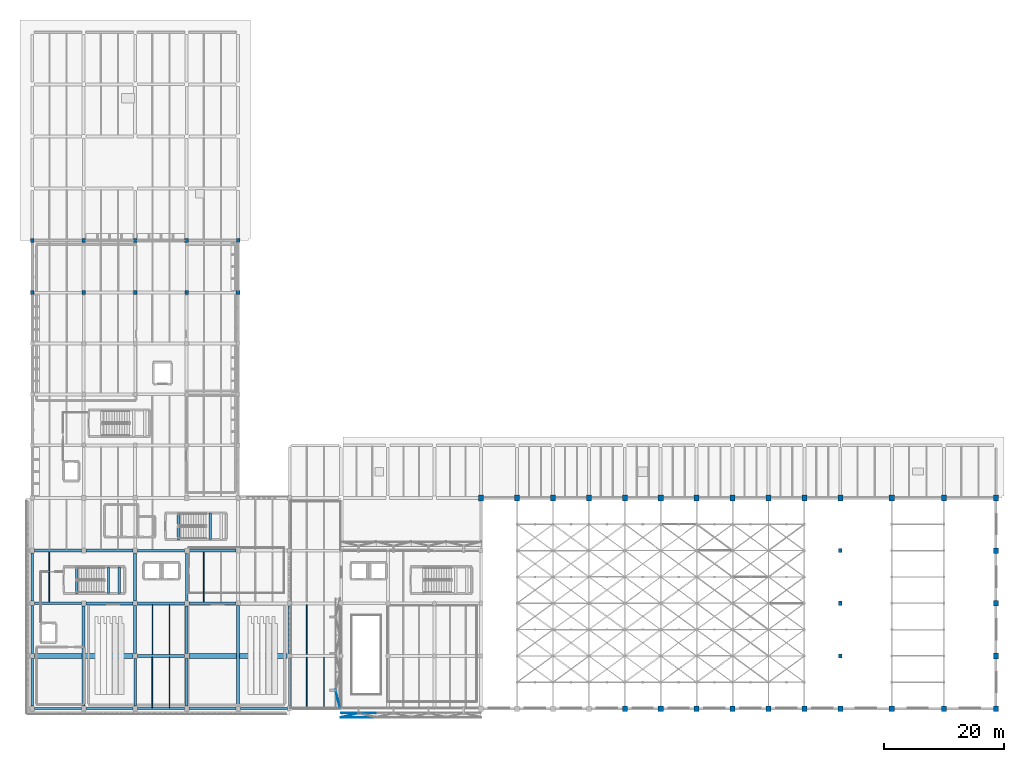
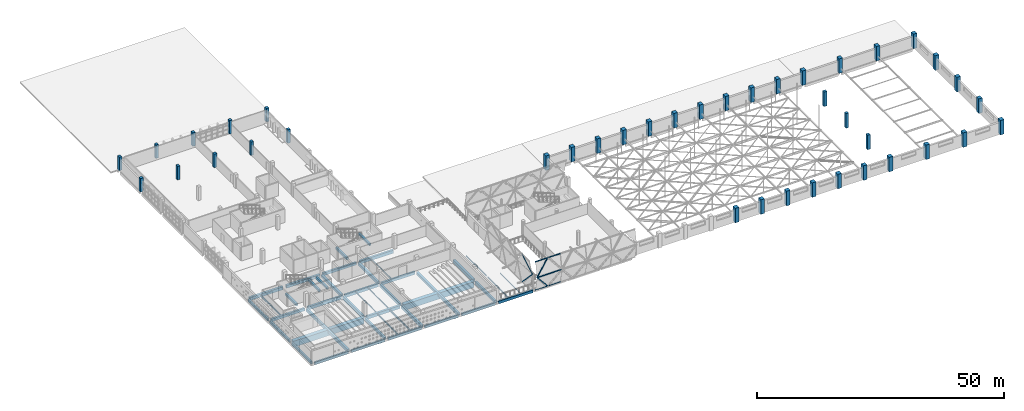
# One storey, part 7 of 93: 44 beams, 40 columns, 7 members, 2 elements without a shape of their own.
"""IFC4 building model written with IfcOpenShell, lengths in metres."""

from ifc_helpers import new_model, si_unit, direction, frame, origin, origin_2d, place, context, subcontext, project, spatial, rectangle, hollow_rectangle, i_section, extrude, material, material_profile, profile_set, type_object, element, aggregate, save


model = new_model("IFC4")

# Units and contexts
model_context = context("Model", 3, precision=1e-05, world=origin(), true_north=direction((0.0, 1.0)))
body_context = subcontext(model_context, "Body", "Model", "MODEL_VIEW")
ifc_project = project(units=[si_unit("LENGTHUNIT", "METRE"), si_unit("AREAUNIT", "SQUARE_METRE"), si_unit("VOLUMEUNIT", "CUBIC_METRE"), si_unit("PLANEANGLEUNIT", "RADIAN"), si_unit("MASSUNIT", "GRAM", prefix="KILO")], contexts=[model_context])

# Site, building, storey
site_placement = place(None, origin())
site = spatial("IfcSite", under=ifc_project, at=site_placement, CompositionType="ELEMENT")
building_placement = place(site_placement, origin())
building = spatial("IfcBuilding", under=site, at=building_placement, Name="Varnakota Cinema and Media Centre", CompositionType="ELEMENT")
storey_placement = place(building_placement, frame((0.0, 0.0, 12.0)))
storey = spatial("IfcBuildingStorey", under=building, at=storey_placement, Name="L03", CompositionType="ELEMENT", Elevation=12.0)

# Columns
ifc_material_1 = material(Name="Concrete M40", Category="concrete")
ifc_material_profile_1 = material_profile(ifc_material_1, rectangle(XDim=0.60009765625, YDim=0.699951171875, at=origin_2d()), Name="RC 600x700")
ifc_profile_set_1 = profile_set([ifc_material_profile_1], Name="Concrete M40")
column_type_1 = type_object("IfcColumnType", Name="COL-RC-600x700", PredefinedType="COLUMN", material=ifc_profile_set_1)
for number, where, z_axis, x_axis, name in (
    (1, (0.0, 78.199951171875, 0.0), (0.0, 0.0, 1.0), (1.0, 0.0, 0.0), "L03 column A/10"),
    (2, (8.60009765625, 69.5, 0.0), (0.0, 0.0, 1.0), (1.0, 0.0, 0.0), "L03 column B/9"),
    (3, (17.199951171875, 78.199951171875, 0.0), (0.0, 0.0, 1.0), (1.0, 0.0, 0.0), "L03 column C/10"),
    (4, (25.800048828125, 69.5, 0.0), (0.0, 0.0, 1.0), (1.0, 0.0, 0.0), "L03 column D/9"),
    (5, (34.39990234375, 78.199951171875, 0.0), (0.0, 0.0, 1.0), (1.0, 0.0, 0.0), "L03 column E/10"),
):
    element("IfcColumn", number, at=place(storey_placement, frame(where, z_axis=z_axis, x_axis=x_axis)), inside=storey, type_object=column_type_1, Name=name, PredefinedType="COLUMN", context=body_context, shape_type="SweptSolid", body=[
        extrude(rectangle(XDim=0.60009765625, YDim=0.699951171875, at=origin_2d()), origin(), (0.0, 0.0, 1.0), 3.35009765625),
    ])
column_placement = place(storey_placement, frame((135.0, 17.60009765625, 0.0), z_axis=(0.0, 0.0, 1.0), x_axis=(1.0, 0.0, 0.0)))
element("IfcColumn", 6, at=column_placement, inside=storey, type_object=column_type_1, Name="L03 column V/3", PredefinedType="COLUMN", context=body_context, shape_type="SweptSolid", body=[
    extrude(rectangle(XDim=0.60009765625, YDim=0.699951171875, at=origin_2d()), origin(), (0.0, 0.0, 1.0), 3.60009765625),
])
ifc_material_2 = material(Name="Concrete M40", Category="concrete")
ifc_material_profile_2 = material_profile(ifc_material_2, rectangle(XDim=0.64990234375, YDim=0.64990234375, at=origin_2d()), Name="RC 650x650")
ifc_profile_set_2 = profile_set([ifc_material_profile_2], Name="Concrete M40")
column_type_2 = type_object("IfcColumnType", Name="COL-RC-650x650", PredefinedType="COLUMN", material=ifc_profile_set_2)
for number, where, z_axis, x_axis, name in (
    (7, (0.0, 69.5, 0.0), (0.0, 0.0, 1.0), (1.0, 0.0, 0.0), "L03 column A/9"),
    (8, (8.60009765625, 78.199951171875, 0.0), (0.0, 0.0, 1.0), (1.0, 0.0, 0.0), "L03 column B/10"),
    (9, (17.199951171875, 69.5, 0.0), (0.0, 0.0, 1.0), (1.0, 0.0, 0.0), "L03 column C/9"),
    (10, (25.800048828125, 78.199951171875, 0.0), (0.0, 0.0, 1.0), (1.0, 0.0, 0.0), "L03 column D/10"),
    (11, (34.39990234375, 69.5, 0.0), (0.0, 0.0, 1.0), (1.0, 0.0, 0.0), "L03 column E/9"),
):
    element("IfcColumn", number, at=place(storey_placement, frame(where, z_axis=z_axis, x_axis=x_axis)), inside=storey, type_object=column_type_2, Name=name, PredefinedType="COLUMN", context=body_context, shape_type="SweptSolid", body=[
        extrude(rectangle(XDim=0.64990234375, YDim=0.64990234375, at=origin_2d()), origin(), (0.0, 0.0, 1.0), 3.35009765625),
    ])
for number, where, z_axis, x_axis, name in (
    (12, (135.0, 8.800048828125, 0.0), (0.0, 0.0, 1.0), (1.0, 0.0, 0.0), "L03 column V/2"),
    (13, (135.0, 26.39990234375, 0.0), (0.0, 0.0, 1.0), (1.0, 0.0, 0.0), "L03 column V/4"),
):
    element("IfcColumn", number, at=place(storey_placement, frame(where, z_axis=z_axis, x_axis=x_axis)), inside=storey, type_object=column_type_2, Name=name, PredefinedType="COLUMN", context=body_context, shape_type="SweptSolid", body=[
        extrude(rectangle(XDim=0.64990234375, YDim=0.64990234375, at=origin_2d()), origin(), (0.0, 0.0, 1.0), 3.60009765625),
    ])
ifc_material_3 = material(Name="Concrete M50", Category="concrete")
ifc_material_profile_3 = material_profile(ifc_material_3, rectangle(XDim=0.85009765625, YDim=0.949951171875, at=origin_2d()), Name="RC 850x950")
ifc_profile_set_3 = profile_set([ifc_material_profile_3], Name="Concrete M50")
column_type_3 = type_object("IfcColumnType", Name="COL-RC-850x950", PredefinedType="COLUMN", material=ifc_profile_set_3)
for number, where, z_axis, x_axis, name in (
    (14, (75.0, 35.199951171875, 0.0), (0.0, 0.0, 1.0), (1.0, 0.0, 0.0), "L03 column K/5"),
    (15, (81.0, 35.199951171875, 0.0), (0.0, 0.0, 1.0), (1.0, 0.0, 0.0), "L03 column L/5"),
    (16, (87.0, 35.199951171875, 0.0), (0.0, 0.0, 1.0), (1.0, 0.0, 0.0), "L03 column M/5"),
    (17, (93.0, 35.199951171875, 0.0), (0.0, 0.0, 1.0), (1.0, 0.0, 0.0), "L03 column N/5"),
    (18, (99.0, 0.0, 0.0), (0.0, 0.0, 1.0), (1.0, 0.0, 0.0), "L03 column P/1"),
    (19, (99.0, 35.199951171875, 0.0), (0.0, 0.0, 1.0), (1.0, 0.0, 0.0), "L03 column P/5"),
    (20, (105.0, 0.0, 0.0), (0.0, 0.0, 1.0), (1.0, 0.0, 0.0), "L03 column Q/1"),
    (21, (105.0, 35.199951171875, 0.0), (0.0, 0.0, 1.0), (1.0, 0.0, 0.0), "L03 column Q/5"),
    (22, (111.0, 0.0, 0.0), (0.0, 0.0, 1.0), (1.0, 0.0, 0.0), "L03 column R/1"),
    (23, (111.0, 35.199951171875, 0.0), (0.0, 0.0, 1.0), (1.0, 0.0, 0.0), "L03 column R/5"),
    (24, (117.0, 0.0, 0.0), (0.0, 0.0, 1.0), (1.0, 0.0, 0.0), "L03 column S/1"),
    (25, (117.0, 35.199951171875, 0.0), (0.0, 0.0, 1.0), (1.0, 0.0, 0.0), "L03 column S/5"),
    (26, (123.0, 0.0, 0.0), (0.0, 0.0, 1.0), (1.0, 0.0, 0.0), "L03 column T/1"),
    (27, (123.0, 35.199951171875, 0.0), (0.0, 0.0, 1.0), (1.0, 0.0, 0.0), "L03 column T/5"),
    (28, (129.0, 0.0, 0.0), (0.0, 0.0, 1.0), (1.0, 0.0, 0.0), "L03 column U/1"),
    (29, (129.0, 35.199951171875, 0.0), (0.0, 0.0, 1.0), (1.0, 0.0, 0.0), "L03 column U/5"),
    (30, (135.0, 0.0, 0.0), (0.0, 0.0, 1.0), (1.0, 0.0, 0.0), "L03 column V/1"),
    (31, (135.0, 35.199951171875, 0.0), (0.0, 0.0, 1.0), (1.0, 0.0, 0.0), "L03 column V/5"),
    (32, (143.60009765625, 0.0, 0.0), (0.0, 0.0, 1.0), (1.0, 0.0, 0.0), "L03 column W/1"),
    (33, (143.60009765625, 35.199951171875, 0.0), (0.0, 0.0, 1.0), (1.0, 0.0, 0.0), "L03 column W/5"),
    (34, (152.300048828125, 0.0, 0.0), (0.0, 0.0, 1.0), (1.0, 0.0, 0.0), "L03 column X/1"),
    (35, (152.300048828125, 35.199951171875, 0.0), (0.0, 0.0, 1.0), (1.0, 0.0, 0.0), "L03 column X/5"),
    (36, (161.0, 0.0, 0.0), (0.0, 0.0, 1.0), (1.0, 0.0, 0.0), "L03 column Y/1"),
    (37, (161.0, 8.800048828125, 0.0), (0.0, 0.0, 1.0), (1.0, 0.0, 0.0), "L03 column Y/2"),
    (38, (161.0, 17.60009765625, 0.0), (0.0, 0.0, 1.0), (1.0, 0.0, 0.0), "L03 column Y/3"),
    (39, (161.0, 26.39990234375, 0.0), (0.0, 0.0, 1.0), (1.0, 0.0, 0.0), "L03 column Y/4"),
    (40, (161.0, 35.199951171875, 0.0), (0.0, 0.0, 1.0), (1.0, 0.0, 0.0), "L03 column Y/5"),
):
    element("IfcColumn", number, at=place(storey_placement, frame(where, z_axis=z_axis, x_axis=x_axis)), inside=storey, type_object=column_type_3, Name=name, PredefinedType="COLUMN", context=body_context, shape_type="SweptSolid", body=[
        extrude(rectangle(XDim=0.85009765625, YDim=0.949951171875, at=origin_2d()), origin(), (0.0, 0.0, 1.0), 3.60009765625),
    ])

# Beams
ifc_material_4 = material(Name="Concrete M35", Category="concrete")
ifc_material_profile_4 = material_profile(ifc_material_4, rectangle(XDim=0.39990234375, YDim=0.550048828125, at=origin_2d()), Name="RCB 400x550")
ifc_profile_set_4 = profile_set([ifc_material_profile_4], Name="Concrete M35")
beam_type_1 = type_object("IfcBeamType", Name="BM-RC-400x550", PredefinedType="BEAM", material=ifc_profile_set_4)
for number, where, z_axis, x_axis, name in (
    (41, (12.7373046875, 19.25, 1.324951171875), (0.0, 1.0, 0.0), (-1.0, 0.0, 0.0), "L03 ST-01 landing support beam 1"),
    (42, (14.562744140625, 19.25, 1.324951171875), (0.0, 1.0, 0.0), (-1.0, 0.0, 0.0), "L03 ST-01 landing support beam 2"),
    (43, (29.7373046875, 28.25, 1.324951171875), (0.0, 1.0, 0.0), (-1.0, 0.0, 0.0), "L03 ST-02 landing support beam 1"),
):
    element("IfcBeam", number, at=place(storey_placement, frame(where, z_axis=z_axis, x_axis=x_axis)), inside=storey, type_object=beam_type_1, Name=name, PredefinedType="BEAM", context=body_context, shape_type="SweptSolid", body=[
        extrude(rectangle(XDim=0.39990234375, YDim=0.550048828125, at=origin_2d()), origin(), (0.0, 0.0, 1.0), 4.449951171875),
    ])
ifc_material_5 = material(Name="Concrete M40", Category="concrete")
ifc_material_profile_5 = material_profile(ifc_material_5, rectangle(XDim=0.449951171875, YDim=0.550048828125, at=origin_2d()), Name="RCB 450x550")
ifc_profile_set_5 = profile_set([ifc_material_profile_5], Name="Concrete M40")
beam_type_2 = type_object("IfcBeamType", Name="BM-RC-450x550", PredefinedType="BEAM", material=ifc_profile_set_5)
for number, where, z_axis, x_axis, name in (
    (44, (7.419921875, 19.25, -0.27490234375), (0.0, 1.0, 0.0), (-1.0, 0.0, 0.0), "L03 ST-01 stair arrival trimmer beam"),
    (45, (24.419921875, 28.25, -0.27490234375), (0.0, 1.0, 0.0), (-1.0, 0.0, 0.0), "L03 ST-02 stair arrival trimmer beam"),
):
    element("IfcBeam", number, at=place(storey_placement, frame(where, z_axis=z_axis, x_axis=x_axis)), inside=storey, type_object=beam_type_2, Name=name, PredefinedType="BEAM", context=body_context, shape_type="SweptSolid", body=[
        extrude(rectangle(XDim=0.449951171875, YDim=0.550048828125, at=origin_2d()), origin(), (0.0, 0.0, 1.0), 4.449951171875),
    ])
ifc_material_6 = material(Name="Concrete M35", Category="concrete")
ifc_material_profile_6 = material_profile(ifc_material_6, rectangle(XDim=0.449951171875, YDim=0.64990234375, at=origin_2d()), Name="RCB 450x650")
ifc_profile_set_6 = profile_set([ifc_material_profile_6], Name="Concrete M35")
beam_type_3 = type_object("IfcBeamType", Name="BM-RC-450x650", PredefinedType="BEAM", material=ifc_profile_set_6)
beam_1_placement = place(storey_placement, frame((0.39990234375, 17.60009765625, -0.5849609375), z_axis=(1.0, 0.0, 0.0), x_axis=(0.0, 1.0, 0.0)))
element("IfcBeam", 46, at=beam_1_placement, inside=storey, type_object=beam_type_3, Name="L03 girder A-B/3", PredefinedType="BEAM", context=body_context, shape_type="SweptSolid", body=[
    extrude(rectangle(XDim=0.449951171875, YDim=0.64990234375, at=origin_2d()), origin(), (0.0, 0.0, 1.0), 7.8251953125),
])
for number, where, z_axis, x_axis, name in (
    (47, (26.175048828125, 17.60009765625, -0.5849609375), (1.0, 0.0, 0.0), (0.0, 1.0, 0.0), "L03 girder D-E/3"),
    (48, (17.574951171875, 26.39990234375, -0.5849609375), (1.0, 0.0, 0.0), (0.0, 1.0, 0.0), "L03 girder C-D/4"),
):
    element("IfcBeam", number, at=place(storey_placement, frame(where, z_axis=z_axis, x_axis=x_axis)), inside=storey, type_object=beam_type_3, Name=name, PredefinedType="BEAM", context=body_context, shape_type="SweptSolid", body=[
        extrude(rectangle(XDim=0.449951171875, YDim=0.64990234375, at=origin_2d()), origin(), (0.0, 0.0, 1.0), 7.824951171875),
    ])
for number, where, z_axis, x_axis, name in (
    (49, (17.199951171875, 0.39990234375, -0.5849609375), (0.0, 1.0, 0.0), (-1.0, 0.0, 0.0), "L03 girder C/1-2"),
    (50, (25.800048828125, 18.02490234375, -0.5849609375), (0.0, 1.0, 0.0), (-1.0, 0.0, 0.0), "L03 girder D/3-4"),
):
    element("IfcBeam", number, at=place(storey_placement, frame(where, z_axis=z_axis, x_axis=x_axis)), inside=storey, type_object=beam_type_3, Name=name, PredefinedType="BEAM", context=body_context, shape_type="SweptSolid", body=[
        extrude(rectangle(XDim=0.449951171875, YDim=0.64990234375, at=origin_2d()), origin(), (0.0, 0.0, 1.0), 7.97509765625),
    ])
beam_2_placement = place(storey_placement, frame((43.0, 0.425048828125, -0.5849609375), z_axis=(0.0, 1.0, 0.0), x_axis=(-1.0, 0.0, 0.0)))
element("IfcBeam", 51, at=beam_2_placement, inside=storey, type_object=beam_type_3, Name="L03 girder F/1-2", PredefinedType="BEAM", context=body_context, shape_type="SweptSolid", body=[
    extrude(rectangle(XDim=0.449951171875, YDim=0.64990234375, at=origin_2d()), origin(), (0.0, 0.0, 1.0), 7.974853515625),
])
ifc_material_7 = material(Name="Concrete M35", Category="concrete")
ifc_material_profile_7 = material_profile(ifc_material_7, rectangle(XDim=0.5, YDim=0.699951171875, at=origin_2d()), Name="RCB 500x700")
ifc_profile_set_7 = profile_set([ifc_material_profile_7], Name="Concrete M35")
beam_type_4 = type_object("IfcBeamType", Name="BM-RC-500x700", PredefinedType="BEAM", material=ifc_profile_set_7)
for number, where, z_axis, x_axis, name in (
    (52, (17.60009765625, 17.60009765625, -0.610107421875), (1.0, 0.0, 0.0), (0.0, 1.0, 0.0), "L03 girder C-D/3"),
    (53, (9.0, 26.39990234375, -0.610107421875), (1.0, 0.0, 0.0), (0.0, 1.0, 0.0), "L03 girder B-C/4"),
):
    element("IfcBeam", number, at=place(storey_placement, frame(where, z_axis=z_axis, x_axis=x_axis)), inside=storey, type_object=beam_type_4, Name=name, PredefinedType="BEAM", context=body_context, shape_type="SweptSolid", body=[
        extrude(rectangle(XDim=0.5, YDim=0.699951171875, at=origin_2d()), origin(), (0.0, 0.0, 1.0), 7.824951171875),
    ])
beam_3_placement = place(storey_placement, frame((8.60009765625, 0.425048828125, -0.610107421875), z_axis=(0.0, 1.0, 0.0), x_axis=(-1.0, 0.0, 0.0)))
element("IfcBeam", 54, at=beam_3_placement, inside=storey, type_object=beam_type_4, Name="L03 girder B/1-3", PredefinedType="BEAM", context=body_context, shape_type="SweptSolid", body=[
    extrude(rectangle(XDim=0.5, YDim=0.699951171875, at=origin_2d()), origin(), (0.0, 0.0, 1.0), 16.75),
])
for number, where, z_axis, x_axis, name in (
    (55, (17.199951171875, 18.0, -0.610107421875), (0.0, 1.0, 0.0), (-1.0, 0.0, 0.0), "L03 girder C/3-4"),
    (56, (25.800048828125, 9.199951171875, -0.610107421875), (0.0, 1.0, 0.0), (-1.0, 0.0, 0.0), "L03 girder D/2-3"),
):
    element("IfcBeam", number, at=place(storey_placement, frame(where, z_axis=z_axis, x_axis=x_axis)), inside=storey, type_object=beam_type_4, Name=name, PredefinedType="BEAM", context=body_context, shape_type="SweptSolid", body=[
        extrude(rectangle(XDim=0.5, YDim=0.699951171875, at=origin_2d()), origin(), (0.0, 0.0, 1.0), 7.97509765625),
    ])
beam_4_placement = place(storey_placement, frame((34.39990234375, 0.39990234375, -0.610107421875), z_axis=(0.0, 1.0, 0.0), x_axis=(-1.0, 0.0, 0.0)))
element("IfcBeam", 57, at=beam_4_placement, inside=storey, type_object=beam_type_4, Name="L03 girder E/1-3", PredefinedType="BEAM", context=body_context, shape_type="SweptSolid", body=[
    extrude(rectangle(XDim=0.5, YDim=0.699951171875, at=origin_2d()), origin(), (0.0, 0.0, 1.0), 16.800048828125),
])
ifc_material_8 = material(Name="Concrete M35", Category="concrete")
ifc_material_profile_8 = material_profile(ifc_material_8, rectangle(XDim=0.5, YDim=0.75, at=origin_2d()), Name="RCB 500x750")
ifc_profile_set_8 = profile_set([ifc_material_profile_8], Name="Concrete M35")
beam_type_5 = type_object("IfcBeamType", Name="BM-RC-500x750", PredefinedType="BEAM", material=ifc_profile_set_8)
for number, where, z_axis, x_axis, name in (
    (58, (17.574951171875, 8.800048828125, -0.635009765625), (1.0, 0.0, 0.0), (0.0, 1.0, 0.0), "L03 girder C-D/2"),
    (59, (8.97509765625, 17.60009765625, -0.635009765625), (1.0, 0.0, 0.0), (0.0, 1.0, 0.0), "L03 girder B-C/3"),
    (60, (0.375, 26.39990234375, -0.635009765625), (1.0, 0.0, 0.0), (0.0, 1.0, 0.0), "L03 girder A-B/4"),
    (61, (26.199951171875, 26.39990234375, -0.635009765625), (1.0, 0.0, 0.0), (0.0, 1.0, 0.0), "L03 girder D-E/4"),
):
    element("IfcBeam", number, at=place(storey_placement, frame(where, z_axis=z_axis, x_axis=x_axis)), inside=storey, type_object=beam_type_5, Name=name, PredefinedType="BEAM", context=body_context, shape_type="SweptSolid", body=[
        extrude(rectangle(XDim=0.5, YDim=0.75, at=origin_2d()), origin(), (0.0, 0.0, 1.0), 7.824951171875),
    ])
for number, where, z_axis, x_axis, name in (
    (62, (17.199951171875, 9.22509765625, -0.635009765625), (0.0, 1.0, 0.0), (-1.0, 0.0, 0.0), "L03 girder C/2-3"),
    (63, (25.800048828125, 0.425048828125, -0.635009765625), (0.0, 1.0, 0.0), (-1.0, 0.0, 0.0), "L03 girder D/1-2"),
):
    element("IfcBeam", number, at=place(storey_placement, frame(where, z_axis=z_axis, x_axis=x_axis)), inside=storey, type_object=beam_type_5, Name=name, PredefinedType="BEAM", context=body_context, shape_type="SweptSolid", body=[
        extrude(rectangle(XDim=0.5, YDim=0.75, at=origin_2d()), origin(), (0.0, 0.0, 1.0), 7.974853515625),
    ])
beam_5_placement = place(storey_placement, frame((43.0, 9.199951171875, -0.635009765625), z_axis=(0.0, 1.0, 0.0), x_axis=(-1.0, 0.0, 0.0)))
element("IfcBeam", 64, at=beam_5_placement, inside=storey, type_object=beam_type_5, Name="L03 girder F/2-3", PredefinedType="BEAM", context=body_context, shape_type="SweptSolid", body=[
    extrude(rectangle(XDim=0.5, YDim=0.75, at=origin_2d()), origin(), (0.0, 0.0, 1.0), 7.97509765625),
])
ifc_material_9 = material(Name="Concrete M40", Category="concrete")
ifc_material_profile_9 = material_profile(ifc_material_9, rectangle(XDim=0.35009765625, YDim=0.64990234375, at=origin_2d()), Name="RCB 350x650")
ifc_profile_set_9 = profile_set([ifc_material_profile_9], Name="Concrete M40")
beam_type_6 = type_object("IfcBeamType", Name="BM-SP-350x650", PredefinedType="SPANDREL", material=ifc_profile_set_9)
beam_6_placement = place(storey_placement, frame((0.39990234375, 0.0, -0.5849609375), z_axis=(1.0, 0.0, 0.0), x_axis=(0.0, 1.0, 0.0)))
element("IfcBeam", 65, at=beam_6_placement, inside=storey, type_object=beam_type_6, Name="L03 girder A-B/1", PredefinedType="SPANDREL", context=body_context, shape_type="SweptSolid", body=[
    extrude(rectangle(XDim=0.35009765625, YDim=0.64990234375, at=origin_2d()), origin(), (0.0, 0.0, 1.0), 7.8251953125),
])
for number, where, z_axis, x_axis, name in (
    (66, (8.97509765625, 0.0, -0.5849609375), (1.0, 0.0, 0.0), (0.0, 1.0, 0.0), "L03 girder B-C/1"),
    (67, (17.60009765625, 0.0, -0.5849609375), (1.0, 0.0, 0.0), (0.0, 1.0, 0.0), "L03 girder C-D/1"),
    (68, (26.175048828125, 0.0, -0.5849609375), (1.0, 0.0, 0.0), (0.0, 1.0, 0.0), "L03 girder D-E/1"),
    (69, (34.800048828125, 0.0, -0.5849609375), (1.0, 0.0, 0.0), (0.0, 1.0, 0.0), "L03 girder E-F/1"),
):
    element("IfcBeam", number, at=place(storey_placement, frame(where, z_axis=z_axis, x_axis=x_axis)), inside=storey, type_object=beam_type_6, Name=name, PredefinedType="SPANDREL", context=body_context, shape_type="SweptSolid", body=[
        extrude(rectangle(XDim=0.35009765625, YDim=0.64990234375, at=origin_2d()), origin(), (0.0, 0.0, 1.0), 7.824951171875),
    ])
beam_7_placement = place(storey_placement, frame((43.375, 0.0, -0.5849609375), z_axis=(1.0, 0.0, 0.0), x_axis=(0.0, 1.0, 0.0)))
element("IfcBeam", 70, at=beam_7_placement, inside=storey, type_object=beam_type_6, Name="L03 girder F-G/1", PredefinedType="SPANDREL", context=body_context, shape_type="SweptSolid", body=[
    extrude(rectangle(XDim=0.35009765625, YDim=0.64990234375, at=origin_2d()), origin(), (0.0, 0.0, 1.0), 8.06298828125),
])
beam_8_placement = place(storey_placement, frame((0.0, 0.39990234375, -0.5849609375), z_axis=(0.0, 1.0, 0.0), x_axis=(-1.0, 0.0, 0.0)))
element("IfcBeam", 71, at=beam_8_placement, inside=storey, type_object=beam_type_6, Name="L03 girder A/1-2", PredefinedType="SPANDREL", context=body_context, shape_type="SweptSolid", body=[
    extrude(rectangle(XDim=0.35009765625, YDim=0.64990234375, at=origin_2d()), origin(), (0.0, 0.0, 1.0), 7.97509765625),
])
beam_9_placement = place(storey_placement, frame((0.0, 9.22509765625, -0.5849609375), z_axis=(0.0, 1.0, 0.0), x_axis=(-1.0, 0.0, 0.0)))
element("IfcBeam", 72, at=beam_9_placement, inside=storey, type_object=beam_type_6, Name="L03 girder A/2-3", PredefinedType="SPANDREL", context=body_context, shape_type="SweptSolid", body=[
    extrude(rectangle(XDim=0.35009765625, YDim=0.64990234375, at=origin_2d()), origin(), (0.0, 0.0, 1.0), 7.974853515625),
])
beam_10_placement = place(storey_placement, frame((0.0, 18.0, -0.5849609375), z_axis=(0.0, 1.0, 0.0), x_axis=(-1.0, 0.0, 0.0)))
element("IfcBeam", 73, at=beam_10_placement, inside=storey, type_object=beam_type_6, Name="L03 girder A/3-4", PredefinedType="SPANDREL", context=body_context, shape_type="SweptSolid", body=[
    extrude(rectangle(XDim=0.35009765625, YDim=0.64990234375, at=origin_2d()), origin(), (0.0, 0.0, 1.0), 7.97509765625),
])
ifc_material_10 = material(Name="Structural steel Grade 350 (E350)", Category="steel")
ifc_material_profile_10 = material_profile(ifc_material_10, i_section(OverallWidth=0.10009765625, OverallDepth=0.199951171875, WebThickness=0.005615234375, FlangeThickness=0.0107421875, FilletRadius=0.010986328125, at=origin_2d()), Name="ISMB 200")
ifc_profile_set_10 = profile_set([ifc_material_profile_10], Name="Structural steel Grade 350 (E350)")
beam_type_7 = type_object("IfcBeamType", Name="BM-ST-ISMB200", PredefinedType="JOIST", material=ifc_profile_set_10)
for number, where, z_axis, x_axis, name in (
    (74, (20.066650390625, 9.050048828125, -0.360107421875), (0.0, 1.0, 0.0), (-1.0, 0.0, 0.0), "L03 steel joist C-D/2-3 #1"),
    (75, (22.933349609375, 9.050048828125, -0.360107421875), (0.0, 1.0, 0.0), (-1.0, 0.0, 0.0), "L03 steel joist C-D/2-3 #2"),
):
    element("IfcBeam", number, at=place(storey_placement, frame(where, z_axis=z_axis, x_axis=x_axis)), inside=storey, type_object=beam_type_7, Name=name, PredefinedType="JOIST", context=body_context, shape_type="SweptSolid", body=[
        extrude(i_section(OverallWidth=0.10009765625, OverallDepth=0.199951171875, WebThickness=0.005615234375, FlangeThickness=0.0107421875, FilletRadius=0.010986328125, at=origin_2d()), origin(), (0.0, 0.0, 1.0), 8.300048828125),
    ])
ifc_material_11 = material(Name="Structural steel Grade 350 (E350)", Category="steel")
ifc_material_profile_11 = material_profile(ifc_material_11, i_section(OverallWidth=0.125, OverallDepth=0.25, WebThickness=0.0068359375, FlangeThickness=0.012451171875, FilletRadius=0.012939453125, at=origin_2d()), Name="ISMB 250")
ifc_profile_set_11 = profile_set([ifc_material_profile_11], Name="Structural steel Grade 350 (E350)")
beam_type_8 = type_object("IfcBeamType", Name="BM-ST-ISMB250", PredefinedType="JOIST", material=ifc_profile_set_11)
beam_11_placement = place(storey_placement, frame((28.666748046875, 17.824951171875, -0.385009765625), z_axis=(0.0, 1.0, 0.0), x_axis=(-1.0, 0.0, 0.0)))
element("IfcBeam", 76, at=beam_11_placement, inside=storey, type_object=beam_type_8, Name="L03 steel joist D-E/3-4 #1", PredefinedType="JOIST", context=body_context, shape_type="SweptSolid", body=[
    extrude(i_section(OverallWidth=0.125, OverallDepth=0.25, WebThickness=0.0068359375, FlangeThickness=0.012451171875, FilletRadius=0.012939453125, at=origin_2d()), origin(), (0.0, 0.0, 1.0), 8.324951171875),
])
for number, where, z_axis, x_axis, name in (
    (77, (45.86669921875, 0.175048828125, -0.385009765625), (0.0, 1.0, 0.0), (-1.0, 0.0, 0.0), "L03 steel joist F-G/1-2 #1"),
    (78, (48.7333984375, 0.175048828125, -0.385009765625), (0.0, 1.0, 0.0), (-1.0, 0.0, 0.0), "L03 steel joist F-G/1-2 #2"),
):
    element("IfcBeam", number, at=place(storey_placement, frame(where, z_axis=z_axis, x_axis=x_axis)), inside=storey, type_object=beam_type_8, Name=name, PredefinedType="JOIST", context=body_context, shape_type="SweptSolid", body=[
        extrude(i_section(OverallWidth=0.125, OverallDepth=0.25, WebThickness=0.0068359375, FlangeThickness=0.012451171875, FilletRadius=0.012939453125, at=origin_2d()), origin(), (0.0, 0.0, 1.0), 8.375),
    ])
ifc_material_12 = material(Name="Structural steel Grade 350 (E350)", Category="steel")
ifc_material_profile_12 = material_profile(ifc_material_12, i_section(OverallWidth=0.139892578125, OverallDepth=0.300048828125, WebThickness=0.0078125, FlangeThickness=0.01318359375, FilletRadius=0.013916015625, at=origin_2d()), Name="ISMB 300")
ifc_profile_set_12 = profile_set([ifc_material_profile_12], Name="Structural steel Grade 350 (E350)")
beam_type_9 = type_object("IfcBeamType", Name="BM-ST-ISMB300", PredefinedType="JOIST", material=ifc_profile_set_12)
beam_12_placement = place(storey_placement, frame((45.86669921875, 9.050048828125, -0.409912109375), z_axis=(0.0, 1.0, 0.0), x_axis=(-1.0, 0.0, 0.0)))
element("IfcBeam", 79, at=beam_12_placement, inside=storey, type_object=beam_type_9, Name="L03 steel joist F-G/2-3 #1", PredefinedType="JOIST", context=body_context, shape_type="SweptSolid", body=[
    extrude(i_section(OverallWidth=0.139892578125, OverallDepth=0.300048828125, WebThickness=0.0078125, FlangeThickness=0.01318359375, FilletRadius=0.013916015625, at=origin_2d()), origin(), (0.0, 0.0, 1.0), 8.300048828125),
])
ifc_material_13 = material(Name="Structural steel Grade 350 (E350)", Category="steel")
ifc_material_profile_13 = material_profile(ifc_material_13, i_section(OverallWidth=0.14990234375, OverallDepth=0.449951171875, WebThickness=0.009521484375, FlangeThickness=0.017333984375, FilletRadius=0.014892578125, at=origin_2d()), Name="ISMB 450")
ifc_profile_set_13 = profile_set([ifc_material_profile_13], Name="Structural steel Grade 350 (E350)")
beam_type_10 = type_object("IfcBeamType", Name="BM-ST-ISMB450", PredefinedType="BEAM", material=ifc_profile_set_13)
beam_13_placement = place(storey_placement, frame((2.86669921875, 17.824951171875, -0.485107421875), z_axis=(0.0, 1.0, 0.0), x_axis=(-1.0, 0.0, 0.0)))
element("IfcBeam", 80, at=beam_13_placement, inside=storey, type_object=beam_type_10, Name="L03 steel joist A-B/3-4 #1", PredefinedType="BEAM", context=body_context, shape_type="SweptSolid", body=[
    extrude(i_section(OverallWidth=0.14990234375, OverallDepth=0.449951171875, WebThickness=0.009521484375, FlangeThickness=0.017333984375, FilletRadius=0.014892578125, at=origin_2d()), origin(), (0.0, 0.0, 1.0), 8.324951171875),
])
for number, where, z_axis, x_axis, name in (
    (81, (20.066650390625, 0.175048828125, -0.485107421875), (0.0, 1.0, 0.0), (-1.0, 0.0, 0.0), "L03 steel joist C-D/1-2 #1"),
    (82, (22.933349609375, 0.175048828125, -0.485107421875), (0.0, 1.0, 0.0), (-1.0, 0.0, 0.0), "L03 steel joist C-D/1-2 #2"),
):
    element("IfcBeam", number, at=place(storey_placement, frame(where, z_axis=z_axis, x_axis=x_axis)), inside=storey, type_object=beam_type_10, Name=name, PredefinedType="BEAM", context=body_context, shape_type="SweptSolid", body=[
        extrude(i_section(OverallWidth=0.14990234375, OverallDepth=0.449951171875, WebThickness=0.009521484375, FlangeThickness=0.017333984375, FilletRadius=0.014892578125, at=origin_2d()), origin(), (0.0, 0.0, 1.0), 8.375),
    ])
ifc_material_14 = material(Name="Concrete M50", Category="concrete")
ifc_material_profile_14 = material_profile(ifc_material_14, rectangle(XDim=0.89990234375, YDim=1.449951171875, at=origin_2d()), Name="RCB 900x1450")
ifc_profile_set_14 = profile_set([ifc_material_profile_14], Name="Concrete M50")
beam_type_11 = type_object("IfcBeamType", Name="BM-TG-900x1450", PredefinedType="BEAM", material=ifc_profile_set_14)
beam_14_placement = place(storey_placement, frame((0.375, 8.800048828125, -0.985107421875), z_axis=(1.0, 0.0, 0.0), x_axis=(0.0, 1.0, 0.0)))
element("IfcBeam", 83, at=beam_14_placement, inside=storey, type_object=beam_type_11, Name="L03 girder A-C/2", PredefinedType="BEAM", context=body_context, shape_type="SweptSolid", body=[
    extrude(rectangle(XDim=0.89990234375, YDim=1.449951171875, at=origin_2d()), origin(), (0.0, 0.0, 1.0), 16.449951171875),
])
beam_15_placement = place(storey_placement, frame((26.199951171875, 8.800048828125, -0.985107421875), z_axis=(1.0, 0.0, 0.0), x_axis=(0.0, 1.0, 0.0)))
element("IfcBeam", 84, at=beam_15_placement, inside=storey, type_object=beam_type_11, Name="L03 girder D-F/2", PredefinedType="BEAM", context=body_context, shape_type="SweptSolid", body=[
    extrude(rectangle(XDim=0.89990234375, YDim=1.449951171875, at=origin_2d()), origin(), (0.0, 0.0, 1.0), 16.400146484375),
])

# Curtain wall, members
ifc_material_15 = material(Name="Anodised golden-bronze aluminium AW-6063", Category="aluminium")
curtain_wall_type_1 = type_object("IfcCurtainWallType", Name="CW-DMD-585x705", PredefinedType="USERDEFINED", material=ifc_material_15)
curtain_wall_1_placement = place(storey_placement, origin())
curtain_wall_1 = element("IfcCurtainWall", 85, at=curtain_wall_1_placement, inside=storey, type_object=curtain_wall_type_1, Name="L03 folded diamond foyer curtain wall CW-V6DMD-S-T2-D04", ObjectType="DIAMOND FOLDED CURTAIN WALL", PredefinedType="USERDEFINED")
ifc_material_16 = material(Name="Anodised golden-bronze aluminium AW-6063", Category="aluminium")
ifc_material_profile_15 = material_profile(ifc_material_16, hollow_rectangle(XDim=0.074951171875, YDim=0.219970703125, WallThickness=0.0048828125, InnerFilletRadius=0.0048828125, OuterFilletRadius=0.010009765625, at=origin_2d()), Name="AL-MULLION 220x75x5")
ifc_profile_set_15 = profile_set([ifc_material_profile_15], Name="Anodised golden-bronze aluminium AW-6063")
member_type_1 = type_object("IfcMemberType", Name="CWM-GOLD-220", PredefinedType="MULLION", material=ifc_profile_set_15)
member_1_placement = place(storey_placement, frame((54.52490234375, -0.75, 0.050048828125), z_axis=(-0.630878157288, -0.156851995101, 0.759861962654), x_axis=(0.241279412338, -0.970455689448, 0.0)))
member_1 = element("IfcMember", 86, at=member_1_placement, type_object=member_type_1, Name="CW-V6DMD-S-T2-D04 folded diamond mullion 2", PredefinedType="MULLION", context=body_context, shape_type="SweptSolid", body=[
    extrude(hollow_rectangle(XDim=0.074951171875, YDim=0.219970703125, WallThickness=0.0048828125, InnerFilletRadius=0.0048828125, OuterFilletRadius=0.010009765625, at=origin_2d()), origin(), (0.0, 0.0, 1.0), 4.572998046875),
])
member_2_placement = place(storey_placement, frame((51.639892578125, -1.46728515625, 3.52490234375), z_axis=(0.630852565109, 0.156845632249, 0.759884523293), x_axis=(-0.241279412338, 0.970455689448, 0.0)))
member_2 = element("IfcMember", 87, at=member_2_placement, type_object=member_type_1, Name="CW-V6DMD-S-T2-D04 folded diamond mullion 4", PredefinedType="MULLION", context=body_context, shape_type="SweptSolid", body=[
    extrude(hollow_rectangle(XDim=0.074951171875, YDim=0.219970703125, WallThickness=0.0048828125, InnerFilletRadius=0.0048828125, OuterFilletRadius=0.010009765625, at=origin_2d()), origin(), (0.0, 0.0, 1.0), 4.5732421875),
])

ifc_material_17 = material(Name="Anodised golden-bronze aluminium AW-6063", Category="aluminium")
curtain_wall_type_2 = type_object("IfcCurtainWallType", Name="CW-DMD-613x705", PredefinedType="USERDEFINED", material=ifc_material_17)
curtain_wall_2_placement = place(storey_placement, origin())
curtain_wall_2 = element("IfcCurtainWall", 88, at=curtain_wall_2_placement, inside=storey, type_object=curtain_wall_type_2, Name="L03 folded diamond foyer curtain wall CW-V6DMD-W-T2-D03", ObjectType="DIAMOND FOLDED CURTAIN WALL", PredefinedType="USERDEFINED")
member_3_placement = place(storey_placement, frame((50.699951171875, 3.066650390625, 0.050048828125), z_axis=(0.153803916175, -0.648981330435, 0.745095690577), x_axis=(0.973047388753, 0.230605245475, 0.0)))
member_3 = element("IfcMember", 89, at=member_3_placement, type_object=member_type_1, Name="CW-V6DMD-W-T2-D03 folded diamond mullion 2", PredefinedType="MULLION", context=body_context, shape_type="SweptSolid", body=[
    extrude(hollow_rectangle(XDim=0.074951171875, YDim=0.219970703125, WallThickness=0.0048828125, InnerFilletRadius=0.0048828125, OuterFilletRadius=0.010009765625, at=origin_2d()), origin(), (0.0, 0.0, 1.0), 4.66357421875),
])
member_4_placement = place(storey_placement, frame((51.417236328125, 0.0400390625, 3.52490234375), z_axis=(-0.153797917091, 0.64895601708, 0.745118976133), x_axis=(-0.973047388753, -0.230605245475, 0.0)))
member_4 = element("IfcMember", 90, at=member_4_placement, type_object=member_type_1, Name="CW-V6DMD-W-T2-D03 folded diamond mullion 4", PredefinedType="MULLION", context=body_context, shape_type="SweptSolid", body=[
    extrude(hollow_rectangle(XDim=0.074951171875, YDim=0.219970703125, WallThickness=0.0048828125, InnerFilletRadius=0.0048828125, OuterFilletRadius=0.010009765625, at=origin_2d()), origin(), (0.0, 0.0, 1.0), 4.663818359375),
])
aggregate(curtain_wall_2, [member_3, member_4])

# Member
ifc_material_18 = material(Name="Anodised golden-bronze aluminium AW-6063", Category="aluminium")
ifc_material_profile_16 = material_profile(ifc_material_18, hollow_rectangle(XDim=0.074951171875, YDim=0.159912109375, WallThickness=0.00390625, InnerFilletRadius=0.00390625, OuterFilletRadius=0.008056640625, at=origin_2d()), Name="AL-TRANSOM 160x75x4")
ifc_profile_set_16 = profile_set([ifc_material_profile_16], Name="Anodised golden-bronze aluminium AW-6063")
member_type_2 = type_object("IfcMemberType", Name="CWT-GOLD-160", PredefinedType="USERDEFINED", material=ifc_profile_set_16)
member_5_placement = place(storey_placement, frame((57.409912109375, -0.75, 0.050048828125), z_axis=(-1.0, 0.0, 0.0), x_axis=(0.0, -1.0, 0.0)))
member_5 = element("IfcMember", 91, at=member_5_placement, type_object=member_type_2, Name="CW-V6DMD-S-T2-D04 folded diamond transom 1", ObjectType="TRANSOM", PredefinedType="USERDEFINED", context=body_context, shape_type="SweptSolid", body=[
    extrude(hollow_rectangle(XDim=0.074951171875, YDim=0.159912109375, WallThickness=0.00390625, InnerFilletRadius=0.00390625, OuterFilletRadius=0.008056640625, at=origin_2d()), origin(), (0.0, 0.0, 1.0), 5.77001953125),
])

member_6_placement = place(storey_placement, frame((57.31005859375, -1.46728515625, 3.52490234375), z_axis=(-1.0, 0.0, 0.0), x_axis=(0.0, -1.0, 0.0)))
member_6 = element("IfcMember", 92, at=member_6_placement, type_object=member_type_2, Name="CW-V6DMD-S-T2-D04 folded diamond transom 2", ObjectType="TRANSOM", PredefinedType="USERDEFINED", context=body_context, shape_type="SweptSolid", body=[
    extrude(hollow_rectangle(XDim=0.074951171875, YDim=0.159912109375, WallThickness=0.00390625, InnerFilletRadius=0.00390625, OuterFilletRadius=0.008056640625, at=origin_2d()), origin(), (0.0, 0.0, 1.0), 5.570068359375),
])

member_7_placement = place(storey_placement, frame((57.409912109375, -0.75, 7.0), z_axis=(-1.0, 0.0, 0.0), x_axis=(0.0, -1.0, 0.0)))
member_7 = element("IfcMember", 93, at=member_7_placement, type_object=member_type_2, Name="CW-V6DMD-S-T2-D04 folded diamond transom 3", ObjectType="TRANSOM", PredefinedType="USERDEFINED", context=body_context, shape_type="SweptSolid", body=[
    extrude(hollow_rectangle(XDim=0.074951171875, YDim=0.159912109375, WallThickness=0.00390625, InnerFilletRadius=0.00390625, OuterFilletRadius=0.008056640625, at=origin_2d()), origin(), (0.0, 0.0, 1.0), 5.77001953125),
])

aggregate(curtain_wall_1, [member_1, member_2, member_5, member_6, member_7])

save(model, "model.ifc")
